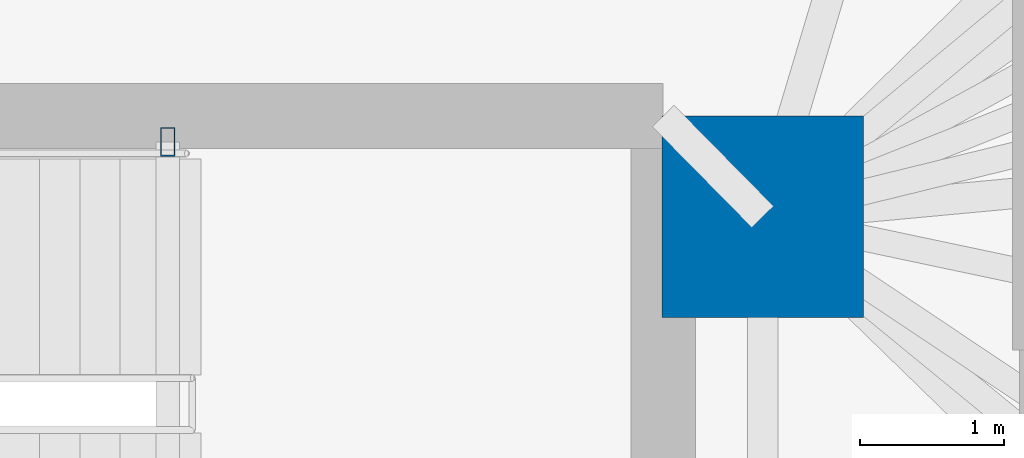
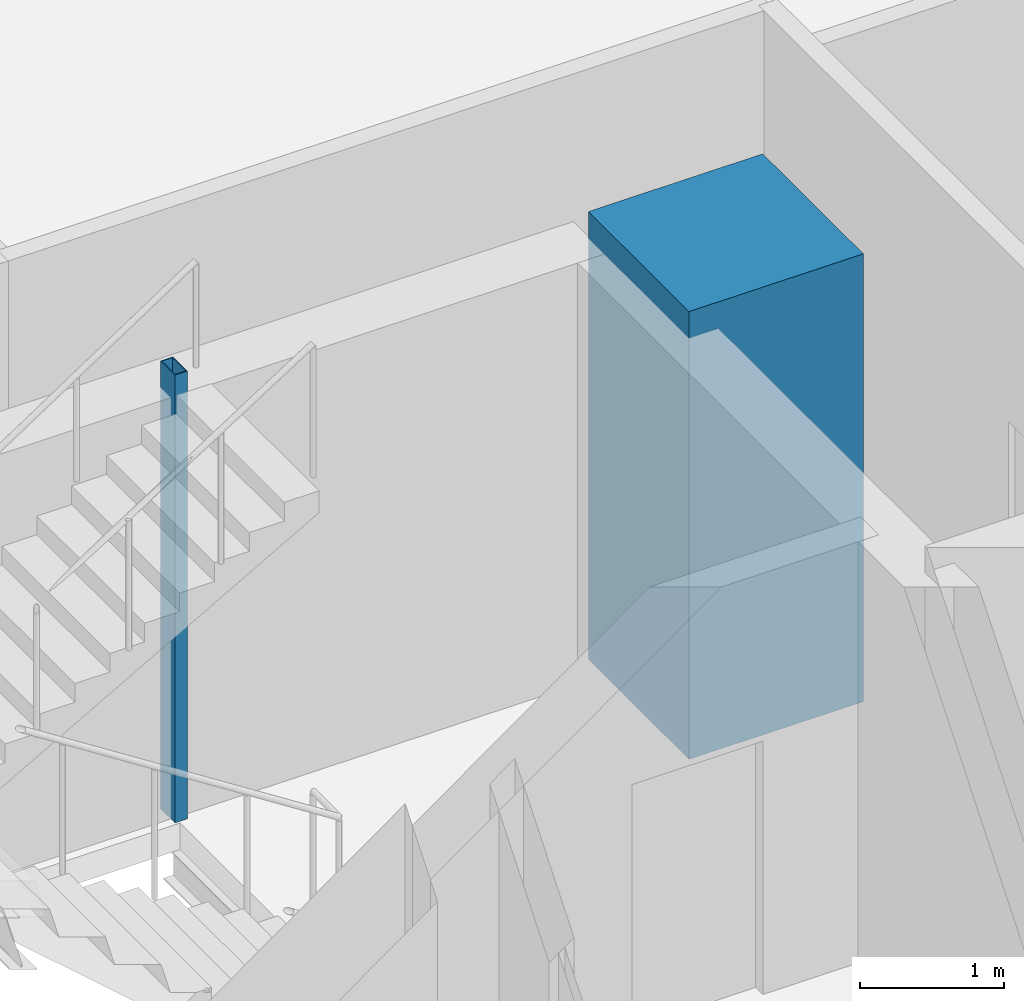
# One storey, part 4 of 17: 2 columns.
"""IFC4 building model written with IfcOpenShell, lengths in metres."""

import ifcopenshell
import ifcopenshell.guid

model = None  # the IFC model being written
_history = None  # IfcOwnerHistory: only IFC2X3 demands one
_inside = {}  # id of a spatial element -> (the spatial element, [elements in it])
_under = {}  # id of a project, library or spatial element -> (it, [spatial elements below it])
_declared = {}  # id of a project -> (the project, [libraries it declares])
_typed = {}  # id of a type object -> (the type object, [elements of that type])
_made_of = {}  # id of a material, layer set ... -> (it, [elements and type objects made of it])


def new_model(schema):
    """Start an empty IFC model of exactly this schema.

    Asked for "IFC4X3", IfcOpenShell would pick the latest addendum, in which some entities
    have other attributes; the version numbers below select the first issue.
    IFC2X3 requires an IfcOwnerHistory on every rooted entity: one is made here for all.
    """
    global model, _history
    if schema == "IFC4X3":
        model = ifcopenshell.file(schema_version=(4, 3, 0, 0))
    else:
        model = ifcopenshell.file(schema=schema)
    _inside.clear()
    _under.clear()
    _declared.clear()
    _typed.clear()
    _made_of.clear()
    _history = None
    if model.schema == "IFC2X3":
        org = make("IfcOrganization", Name="unknown")
        user = make(
            "IfcPersonAndOrganization",
            ThePerson=make("IfcPerson", FamilyName="unknown"),
            TheOrganization=org,
        )
        app = make(
            "IfcApplication",
            ApplicationDeveloper=org,
            Version="unknown",
            ApplicationFullName="unknown",
            ApplicationIdentifier="unknown",
        )
        _history = make(
            "IfcOwnerHistory",
            OwningUser=user,
            OwningApplication=app,
            ChangeAction="ADDED",
            CreationDate=0,
        )
    return model


def make(cls, **values):
    """One entity of the class cls with the attributes given. An attribute that is None is left unset."""
    return model.create_entity(
        cls, **{name: value for name, value in values.items() if value is not None}
    )


def rooted(cls, **values):
    """An entity with a GlobalId (a new one), such as an element, a storey or a relation."""
    return make(cls, GlobalId=ifcopenshell.guid.new(), OwnerHistory=_history, **values)


def si_unit(unit_type, name, prefix=None):
    """IfcSIUnit, for example si_unit("LENGTHUNIT", "METRE", prefix="MILLI")."""
    return make("IfcSIUnit", UnitType=unit_type, Prefix=prefix, Name=name)


def assignment(units):
    """IfcUnitAssignment: the units of a project."""
    return None if units is None else make("IfcUnitAssignment", Units=units)


def point(xyz):
    """IfcCartesianPoint."""
    return None if xyz is None else make("IfcCartesianPoint", Coordinates=xyz)


def direction(xyz):
    """IfcDirection."""
    return None if xyz is None else make("IfcDirection", DirectionRatios=xyz)


def frame(location, z_axis=None, x_axis=None):
    """IfcAxis2Placement3D, a coordinate frame: its origin and axes. An axis left out is left unset."""
    return make(
        "IfcAxis2Placement3D",
        Location=point(location),
        Axis=direction(z_axis),
        RefDirection=direction(x_axis),
    )


def frame_2d(location, x_axis=None):
    """IfcAxis2Placement2D, a coordinate frame in the plane: its origin and x axis."""
    return make(
        "IfcAxis2Placement2D", Location=point(location), RefDirection=direction(x_axis)
    )


def origin():
    """The frame at (0, 0, 0) with its axes left unset."""
    return frame((0.0, 0.0, 0.0))


def origin_2d():
    """The frame at (0, 0) in the plane with its x axis left unset."""
    return frame_2d((0.0, 0.0))


def place(relative_to, where):
    """IfcLocalPlacement: puts the frame where relative to a parent placement (None: the world)."""
    return make(
        "IfcLocalPlacement", PlacementRelTo=relative_to, RelativePlacement=where
    )


def context(
    kind, dimensions, precision=None, world=None, true_north=None, identifier=None
):
    """IfcGeometricRepresentationContext, for example the 3D "Model" context."""
    return make(
        "IfcGeometricRepresentationContext",
        ContextIdentifier=identifier,
        ContextType=kind,
        CoordinateSpaceDimension=dimensions,
        Precision=precision,
        WorldCoordinateSystem=world,
        TrueNorth=true_north,
    )


def subcontext(parent, identifier, kind, view, scale=None):
    """IfcGeometricRepresentationSubContext, for example "Body" below "Model"."""
    return make(
        "IfcGeometricRepresentationSubContext",
        ContextIdentifier=identifier,
        ContextType=kind,
        ParentContext=parent,
        TargetScale=scale,
        TargetView=view,
    )


def project(units=None, contexts=None):
    """IfcProject with its units and contexts."""
    return rooted(
        "IfcProject",
        Name="project",
        RepresentationContexts=contexts,
        UnitsInContext=assignment(units),
    )


def spatial(cls, under=None, at=None, **own):
    """A site, building, storey or space (cls), placed at a placement, below another one or the project."""
    s = rooted(cls, ObjectPlacement=at, **own)
    if under is not None:
        _under.setdefault(under.id(), (under, []))[1].append(s)
    return s


def profile(cls, at=None, kind="AREA", **sizes):
    """A parametric profile (cls). Its sizes go by their IFC names, for example OverallWidth=200.0."""
    return make(cls, ProfileType=kind, Position=at, **sizes)


def rectangle(**sizes):
    """IfcRectangleProfileDef."""
    return profile("IfcRectangleProfileDef", **sizes)


def hollow_rectangle(**sizes):
    """IfcRectangleHollowProfileDef."""
    return profile("IfcRectangleHollowProfileDef", **sizes)


def extrude(swept, where, along, depth):
    """IfcExtrudedAreaSolid: the profile swept, set in the frame where, extruded along a direction by depth."""
    return make(
        "IfcExtrudedAreaSolid",
        SweptArea=swept,
        Position=where,
        ExtrudedDirection=direction(along),
        Depth=depth,
    )


def shape(context_of_items, identifier, shape_type, items):
    """IfcShapeRepresentation: the items that make up one representation, for example the "Body"."""
    return make(
        "IfcShapeRepresentation",
        ContextOfItems=context_of_items,
        RepresentationIdentifier=identifier,
        RepresentationType=shape_type,
        Items=items,
    )


def material(Name=None, Category=None):
    """IfcMaterial."""
    return make("IfcMaterial", Name=Name, Category=Category)


def material_profile(
    of_material, cross_section, Name=None, Category=None, Priority=None
):
    """IfcMaterialProfile: a cross section and its material."""
    return make(
        "IfcMaterialProfile",
        Name=Name,
        Material=of_material,
        Profile=cross_section,
        Priority=Priority,
        Category=Category,
    )


def profile_set(profiles, Name=None, composite=None):
    """IfcMaterialProfileSet."""
    return make(
        "IfcMaterialProfileSet",
        Name=Name,
        MaterialProfiles=profiles,
        CompositeProfile=composite,
    )


def made_of(thing, what):
    """Note that an element or type object is made of a material, layer set ...; save() writes the relation."""
    if what is not None:
        _made_of.setdefault(what.id(), (what, []))[1].append(thing)
    return thing


def type_object(cls, material=None, **own):
    """A type object (cls), such as IfcWallType, which elements share."""
    return made_of(rooted(cls, **own), material)


def element(
    cls,
    number,
    at=None,
    inside=None,
    cuts=None,
    type_object=None,
    material=None,
    context=None,
    identifier="Body",
    shape_type=None,
    held_by="IfcProductDefinitionShape",
    body=None,
    shapes=None,
    **own,
):
    """One element of the class cls, such as IfcWall. Its Tag is "e" and its number.

    at: its placement. inside: the storey or other place that contains it. cuts: it is an
    opening in that element (IfcRelVoidsElement). A single representation is given by context,
    identifier, shape_type and body (its items); several are given by shapes. held_by: the class
    of the entity that holds the representations. save() writes the other relations.
    """
    e = rooted(cls, Tag="e%d" % number, ObjectPlacement=at, **own)
    if body is not None:
        shapes = [shape(context, identifier, shape_type, body)]
    if shapes is not None:
        e.Representation = make(held_by, Representations=shapes)
    if inside is not None:
        _inside.setdefault(inside.id(), (inside, []))[1].append(e)
    if cuts is not None:
        rooted(
            "IfcRelVoidsElement", RelatingBuildingElement=cuts, RelatedOpeningElement=e
        )
    if type_object is not None:
        _typed.setdefault(type_object.id(), (type_object, []))[1].append(e)
    return made_of(e, material)


def aggregate(whole, parts):
    """IfcRelAggregates: a whole, such as a stair, and the parts it consists of."""
    return rooted("IfcRelAggregates", RelatingObject=whole, RelatedObjects=parts)


def save(model, path):
    """Write the relations noted so far, then the file.

    IfcRelAggregates (storeys below a building ...), IfcRelContainedInSpatialStructure (elements
    in a storey), IfcRelDefinesByType, IfcRelAssociatesMaterial and IfcRelDeclares: one each for
    every whole, place, type object, material and project.
    """
    for whole, parts in _under.values():
        aggregate(whole, parts)
    for where, things in _inside.values():
        rooted(
            "IfcRelContainedInSpatialStructure",
            RelatedElements=things,
            RelatingStructure=where,
        )
    for kind, things in _typed.values():
        rooted("IfcRelDefinesByType", RelatedObjects=things, RelatingType=kind)
    for what, things in _made_of.values():
        rooted("IfcRelAssociatesMaterial", RelatedObjects=things, RelatingMaterial=what)
    for by, libraries in _declared.values():
        rooted("IfcRelDeclares", RelatingContext=by, RelatedDefinitions=libraries)
    model.write(path)


model = new_model("IFC4")

# Units and contexts
model_context = context("Model", 3, precision=1e-05, world=origin(), true_north=direction((0.0, 1.0)))
body_context = subcontext(model_context, "Body", "Model", "MODEL_VIEW")
ifc_project = project(units=[si_unit("LENGTHUNIT", "METRE"), si_unit("AREAUNIT", "SQUARE_METRE"), si_unit("VOLUMEUNIT", "CUBIC_METRE"), si_unit("PLANEANGLEUNIT", "RADIAN"), si_unit("MASSUNIT", "GRAM", prefix="KILO")], contexts=[model_context])

# Site, building, storey
site_placement = place(None, origin())
site = spatial("IfcSite", under=ifc_project, at=site_placement, CompositionType="ELEMENT")
building_placement = place(site_placement, origin())
building = spatial("IfcBuilding", under=site, at=building_placement, Name="Menara Jurai Vektor", CompositionType="ELEMENT")
storey_placement = place(building_placement, frame((0.0, 0.0, 48.39990234375)))
storey = spatial("IfcBuildingStorey", under=building, at=storey_placement, Name="L11", CompositionType="ELEMENT", Elevation=48.39990234375)

# Columns
ifc_material_1 = material(Name="Concrete C60/75", Category="concrete")
ifc_material_profile_1 = material_profile(ifc_material_1, rectangle(XDim=1.39990234375, YDim=1.39990234375, at=origin_2d()), Name="RC 1400x1400")
ifc_profile_set_1 = profile_set([ifc_material_profile_1], Name="Concrete C60/75")
column_type_1 = type_object("IfcColumnType", Name="STR-COL-RC1400", PredefinedType="COLUMN", material=ifc_profile_set_1)
column_1_placement = place(storey_placement, frame((15.25, 4.89990234375, 0.0), z_axis=(0.0, 0.0, 1.0), x_axis=(1.0, 0.0, 0.0)))
element("IfcColumn", 1, at=column_1_placement, inside=storey, type_object=column_type_1, Name="Core Spine Column CE-NE L11", PredefinedType="COLUMN", context=body_context, shape_type="SweptSolid", body=[
    extrude(rectangle(XDim=1.39990234375, YDim=1.39990234375, at=origin_2d()), origin(), (0.0, 0.0, 1.0), 3.800048828125),
])
ifc_material_2 = material(Name="Steel S355", Category="steel")
ifc_material_profile_2 = material_profile(ifc_material_2, hollow_rectangle(XDim=0.10009765625, YDim=0.199951171875, WallThickness=0.008056640625, at=origin_2d()), Name="RHS 200x100x8")
ifc_profile_set_2 = profile_set([ifc_material_profile_2], Name="Steel S355")
column_type_2 = type_object("IfcColumnType", Name="STR-COL-STAIR", PredefinedType="COLUMN", material=ifc_profile_set_2)
column_2_placement = place(storey_placement, frame((11.1201171875, 5.419921875, 0.0), z_axis=(0.0, 0.0, 1.0), x_axis=(1.0, 0.0, 0.0)))
element("IfcColumn", 2, at=column_2_placement, inside=storey, type_object=column_type_2, Name="Stair Well Header Column ST2-P2 L11", PredefinedType="COLUMN", context=body_context, shape_type="SweptSolid", body=[
    extrude(hollow_rectangle(XDim=0.10009765625, YDim=0.199951171875, WallThickness=0.008056640625, at=origin_2d()), origin(), (0.0, 0.0, 1.0), 3.800048828125),
])

save(model, "model.ifc")
